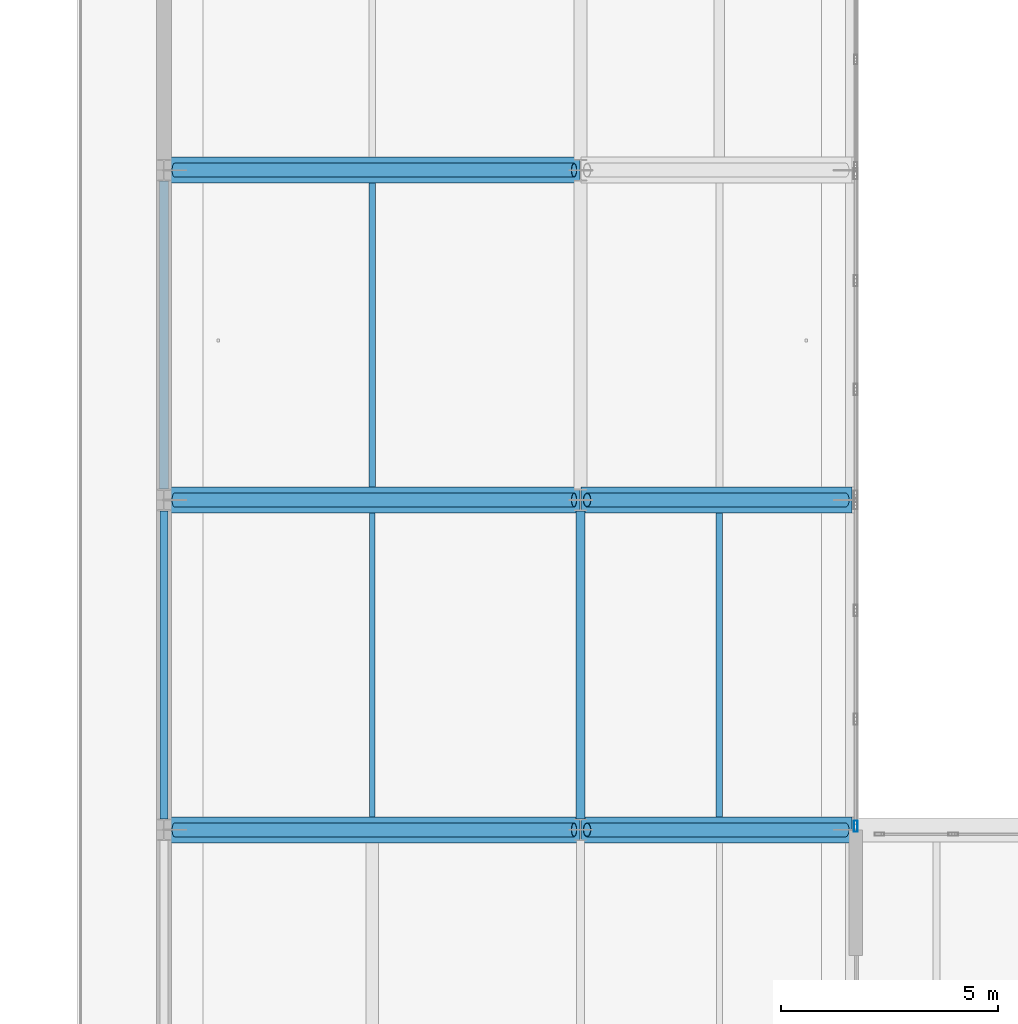
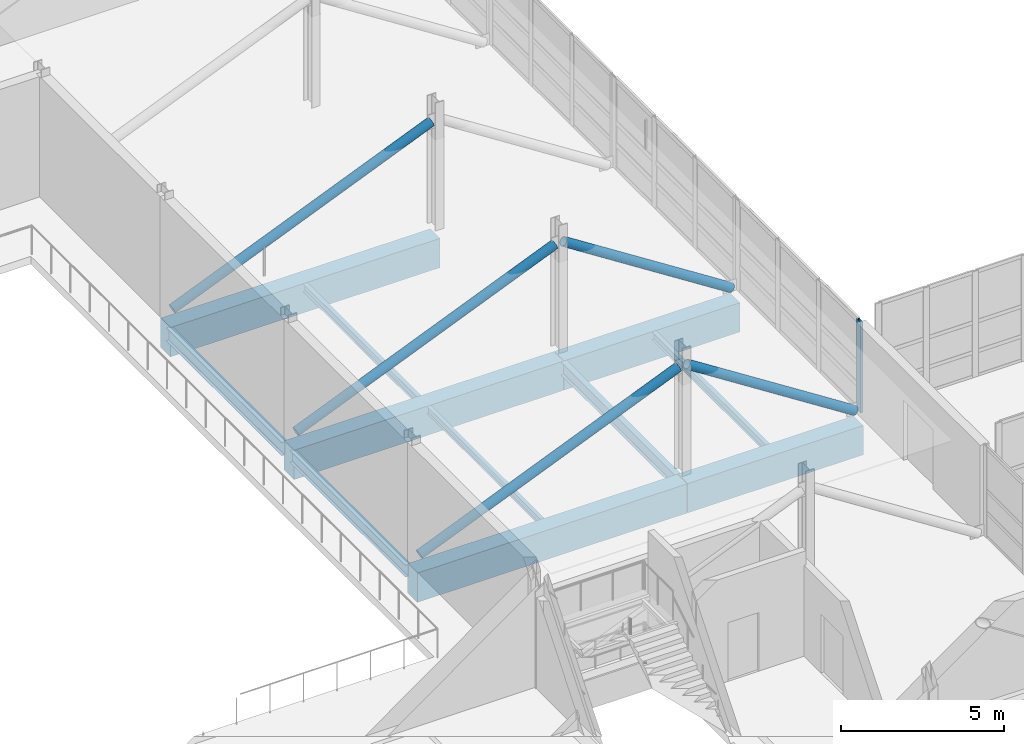
# One storey, part 15 of 141: 11 beams, 6 members, 1 element without a shape of its own.
"""IFC4 building model written with IfcOpenShell, lengths in metres."""

from ifc_helpers import new_model, si_unit, direction, frame, origin, origin_2d, place, context, subcontext, project, spatial, rectangle, hollow_rectangle, hollow_circle, i_section, extrude, material, material_profile, profile_set, type_object, element, aggregate, save


model = new_model("IFC4")

# Units and contexts
model_context = context("Model", 3, precision=1e-05, world=origin(), true_north=direction((0.0, 1.0)))
body_context = subcontext(model_context, "Body", "Model", "MODEL_VIEW")
ifc_project = project(units=[si_unit("LENGTHUNIT", "METRE"), si_unit("AREAUNIT", "SQUARE_METRE"), si_unit("VOLUMEUNIT", "CUBIC_METRE"), si_unit("PLANEANGLEUNIT", "RADIAN"), si_unit("MASSUNIT", "GRAM", prefix="KILO")], contexts=[model_context])

# Site, building, storey
site_placement = place(None, origin())
site = spatial("IfcSite", under=ifc_project, at=site_placement, CompositionType="ELEMENT")
building_placement = place(site_placement, origin())
building = spatial("IfcBuilding", under=site, at=building_placement, Name="Khelvaren Railside Concert Hall", CompositionType="ELEMENT")
storey_placement = place(building_placement, frame((0.0, 0.0, 10.199951171875)))
storey = spatial("IfcBuildingStorey", under=building, at=storey_placement, Name="L02", CompositionType="ELEMENT", Elevation=10.199951171875)

# Beams
ifc_material_1 = material(Name="Steel S355", Category="steel")
ifc_material_profile_1 = material_profile(ifc_material_1, i_section(OverallWidth=0.199951171875, OverallDepth=0.5, WebThickness=0.01025390625, FlangeThickness=0.01611328125, FilletRadius=0.02099609375, at=origin_2d()), Name="IPE 500")
ifc_profile_set_1 = profile_set([ifc_material_profile_1], Name="Steel S355")
beam_type_1 = type_object("IfcBeamType", Name="BM62", PredefinedType="BEAM", material=ifc_profile_set_1)
beam_1_placement = place(storey_placement, frame((40.0, 23.050048828125, -0.5400390625), z_axis=(0.0, 1.0, 0.0), x_axis=(-1.0, 0.0, 0.0)))
element("IfcBeam", 1, at=beam_1_placement, inside=storey, type_object=beam_type_1, Name="V1 L02 Beam Y6.4", PredefinedType="BEAM", context=body_context, shape_type="SweptSolid", body=[
    extrude(i_section(OverallWidth=0.199951171875, OverallDepth=0.5, WebThickness=0.01025390625, FlangeThickness=0.01611328125, FilletRadius=0.02099609375, at=origin_2d()), origin(), (0.0, 0.0, 1.0), 7.099853515625),
])
beam_2_placement = place(storey_placement, frame((49.60009765625, 15.449951171875, -0.5400390625), z_axis=(0.0, 1.0, 0.0), x_axis=(-1.0, 0.0, 0.0)))
element("IfcBeam", 2, at=beam_2_placement, inside=storey, type_object=beam_type_1, Name="V1 L02 Beam Y7.3", PredefinedType="BEAM", context=body_context, shape_type="SweptSolid", body=[
    extrude(i_section(OverallWidth=0.199951171875, OverallDepth=0.5, WebThickness=0.01025390625, FlangeThickness=0.01611328125, FilletRadius=0.02099609375, at=origin_2d()), origin(), (0.0, 0.0, 1.0), 7.10009765625),
])
ifc_material_profile_2 = material_profile(ifc_material_1, i_section(OverallWidth=0.18994140625, OverallDepth=0.449951171875, WebThickness=0.009521484375, FlangeThickness=0.0146484375, FilletRadius=0.02099609375, at=origin_2d()), Name="IPE 450")
ifc_profile_set_2 = profile_set([ifc_material_profile_2], Name="Steel S355")
beam_type_2 = type_object("IfcBeamType", Name="BM95", PredefinedType="BEAM", material=ifc_profile_set_2)
beam_3_placement = place(storey_placement, frame((40.0, 15.449951171875, -0.514892578125), z_axis=(0.0, 1.0, 0.0), x_axis=(-1.0, 0.0, 0.0)))
element("IfcBeam", 3, at=beam_3_placement, inside=storey, type_object=beam_type_2, Name="V1 L02 Beam Y6.3", PredefinedType="BEAM", context=body_context, shape_type="SweptSolid", body=[
    extrude(i_section(OverallWidth=0.18994140625, OverallDepth=0.449951171875, WebThickness=0.009521484375, FlangeThickness=0.0146484375, FilletRadius=0.02099609375, at=origin_2d()), origin(), (0.0, 0.0, 1.0), 7.10009765625),
])

# Members
ifc_material_profile_3 = material_profile(ifc_material_1, hollow_circle(Radius=0.161865234375, WallThickness=0.01611328125, at=origin_2d()), Name="CHS 323.9x16")
ifc_profile_set_3 = profile_set([ifc_material_profile_3], Name="Steel S355")
member_type_1 = type_object("IfcMemberType", Name="BR78", PredefinedType="BRACE", material=ifc_profile_set_3)
member_1_placement = place(storey_placement, frame((49.75, 15.199951171875, 3.969970703125), z_axis=(0.841509273877, 0.0, -0.540242669528), x_axis=(0.0, 1.0, 0.0)))
element("IfcMember", 4, at=member_1_placement, inside=storey, type_object=member_type_1, Name="V1 L02 Plaza Cantilever Truss Diagonal 3A", PredefinedType="BRACE", context=body_context, shape_type="SweptSolid", body=[
    extrude(hollow_circle(Radius=0.161865234375, WallThickness=0.01611328125, at=origin_2d()), origin(), (0.0, 0.0, 1.0), 7.070556640625),
])
member_2_placement = place(storey_placement, frame((40.25, 15.199951171875, 0.150146484375), z_axis=(0.923556947284, 0.0, 0.38346129547), x_axis=(0.0, 1.0, 0.0)))
element("IfcMember", 5, at=member_2_placement, inside=storey, type_object=member_type_1, Name="V1 L02 Plaza Cantilever Truss Backspan Diagonal 3B", PredefinedType="BRACE", context=body_context, shape_type="SweptSolid", body=[
    extrude(hollow_circle(Radius=0.161865234375, WallThickness=0.01611328125, at=origin_2d()), origin(), (0.0, 0.0, 1.0), 9.96142578125),
])
member_3_placement = place(storey_placement, frame((49.75, 22.800048828125, 3.969970703125), z_axis=(0.841509273877, 0.0, -0.540242669528), x_axis=(0.0, 1.0, 0.0)))
element("IfcMember", 6, at=member_3_placement, inside=storey, type_object=member_type_1, Name="V1 L02 Plaza Cantilever Truss Diagonal 4A", PredefinedType="BRACE", context=body_context, shape_type="SweptSolid", body=[
    extrude(hollow_circle(Radius=0.161865234375, WallThickness=0.01611328125, at=origin_2d()), origin(), (0.0, 0.0, 1.0), 7.070556640625),
])
for number, where, z_axis, x_axis, name in (
    (7, (40.25, 22.800048828125, 0.150146484375), (0.923556947284, 0.0, 0.38346129547), (0.0, 1.0, 0.0), "V1 L02 Plaza Cantilever Truss Backspan Diagonal 4B"),
    (8, (40.25, 30.39990234375, 0.150146484375), (0.923556947284, 0.0, 0.38346129547), (0.0, 1.0, 0.0), "V1 L02 Plaza Cantilever Truss Backspan Diagonal 5B"),
):
    element("IfcMember", number, at=place(storey_placement, frame(where, z_axis=z_axis, x_axis=x_axis)), inside=storey, type_object=member_type_1, Name=name, PredefinedType="BRACE", context=body_context, shape_type="SweptSolid", body=[
        extrude(hollow_circle(Radius=0.161865234375, WallThickness=0.01611328125, at=origin_2d()), origin(), (0.0, 0.0, 1.0), 9.96142578125),
    ])

# Curtain wall, member
ifc_material_2 = material(Name="Acoustic laminated crystal facade glass", Category="glass")
curtain_wall_type = type_object("IfcCurtainWallType", Name="CW21", PredefinedType="USERDEFINED", material=ifc_material_2)
curtain_wall_placement = place(storey_placement, origin())
curtain_wall = element("IfcCurtainWall", 9, at=curtain_wall_placement, inside=storey, type_object=curtain_wall_type, Name="Unitised Curtain Wall CW-V1-L02-E-15", ObjectType="UNITISED CURTAIN WALL", PredefinedType="USERDEFINED")
ifc_material_3 = material(Name="Anodised architectural aluminium 6063-T6", Category="aluminium")
ifc_material_profile_4 = material_profile(ifc_material_3, hollow_rectangle(XDim=0.0849609375, YDim=0.260009765625, WallThickness=0.0048828125, InnerFilletRadius=0.0029296875, OuterFilletRadius=0.0048828125, at=origin_2d()), Name="CWM 85x260x5")
ifc_profile_set_4 = profile_set([ifc_material_profile_4], Name="Anodised architectural aluminium 6063-T6")
member_type_2 = type_object("IfcMemberType", Name="CWM40", PredefinedType="MULLION", material=ifc_profile_set_4)
member_4_placement = place(storey_placement, frame((55.93994140625, 15.282470703125, 0.0), z_axis=(0.0, 0.0, 1.0), x_axis=(1.0, 0.0, 0.0)))
member_4 = element("IfcMember", 10, at=member_4_placement, type_object=member_type_2, Name="CW21 mullion 4", PredefinedType="MULLION", context=body_context, shape_type="SweptSolid", body=[
    extrude(hollow_rectangle(XDim=0.0849609375, YDim=0.260009765625, WallThickness=0.0048828125, InnerFilletRadius=0.0029296875, OuterFilletRadius=0.0048828125, at=origin_2d()), origin(), (0.0, 0.0, 1.0), 3.41015625),
])
aggregate(curtain_wall, [member_4])

# Beams
ifc_material_4 = material(Name="Concrete C40/50", Category="concrete")
ifc_material_profile_5 = material_profile(ifc_material_4, rectangle(XDim=0.60009765625, YDim=1.10009765625, at=origin_2d()), Name="RCB 600x1100")
ifc_profile_set_5 = profile_set([ifc_material_profile_5], Name="Concrete C40/50")
beam_type_3 = type_object("IfcBeamType", Name="GR15", PredefinedType="T_BEAM", material=ifc_profile_set_5)
beam_4_placement = place(storey_placement, frame((40.010009765625, 15.199951171875, -0.83984375), z_axis=(1.0, 0.0, 0.0), x_axis=(0.0, 1.0, 0.0)))
element("IfcBeam", 11, at=beam_4_placement, inside=storey, type_object=beam_type_3, Name="V1 L02 Cantilever Backspan Girder 3", PredefinedType="T_BEAM", context=body_context, shape_type="SweptSolid", body=[
    extrude(rectangle(XDim=0.60009765625, YDim=1.10009765625, at=origin_2d()), origin(), (0.0, 0.0, 1.0), 9.580078125),
])
beam_5_placement = place(storey_placement, frame((49.610107421875, 15.199951171875, -0.83984375), z_axis=(1.0, 0.0, 0.0), x_axis=(0.0, 1.0, 0.0)))
element("IfcBeam", 12, at=beam_5_placement, inside=storey, type_object=beam_type_3, Name="V1 L02 Arrival Cantilever Girder 3", PredefinedType="T_BEAM", context=body_context, shape_type="SweptSolid", body=[
    extrude(rectangle(XDim=0.60009765625, YDim=1.10009765625, at=origin_2d()), origin(), (0.0, 0.0, 1.0), 6.239990234375),
])
beam_6_placement = place(storey_placement, frame((40.010009765625, 22.800048828125, -0.83984375), z_axis=(1.0, 0.0, 0.0), x_axis=(0.0, 1.0, 0.0)))
element("IfcBeam", 13, at=beam_6_placement, inside=storey, type_object=beam_type_3, Name="V1 L02 Cantilever Backspan Girder 4", PredefinedType="T_BEAM", context=body_context, shape_type="SweptSolid", body=[
    extrude(rectangle(XDim=0.60009765625, YDim=1.10009765625, at=origin_2d()), origin(), (0.0, 0.0, 1.0), 9.580078125),
])
beam_7_placement = place(storey_placement, frame((49.610107421875, 22.800048828125, -0.83984375), z_axis=(1.0, 0.0, 0.0), x_axis=(0.0, 1.0, 0.0)))
element("IfcBeam", 14, at=beam_7_placement, inside=storey, type_object=beam_type_3, Name="V1 L02 Arrival Cantilever Girder 4", PredefinedType="T_BEAM", context=body_context, shape_type="SweptSolid", body=[
    extrude(rectangle(XDim=0.60009765625, YDim=1.10009765625, at=origin_2d()), origin(), (0.0, 0.0, 1.0), 6.239990234375),
])
beam_8_placement = place(storey_placement, frame((40.010009765625, 30.39990234375, -0.83984375), z_axis=(1.0, 0.0, 0.0), x_axis=(0.0, 1.0, 0.0)))
element("IfcBeam", 15, at=beam_8_placement, inside=storey, type_object=beam_type_3, Name="V1 L02 Cantilever Backspan Girder 5", PredefinedType="T_BEAM", context=body_context, shape_type="SweptSolid", body=[
    extrude(rectangle(XDim=0.60009765625, YDim=1.10009765625, at=origin_2d()), origin(), (0.0, 0.0, 1.0), 9.580078125),
])
ifc_material_profile_6 = material_profile(ifc_material_1, i_section(OverallWidth=0.14990234375, OverallDepth=0.300048828125, WebThickness=0.007080078125, FlangeThickness=0.0107421875, FilletRadius=0.014892578125, at=origin_2d()), Name="IPE 300")
ifc_profile_set_6 = profile_set([ifc_material_profile_6], Name="Steel S355")
beam_type_4 = type_object("IfcBeamType", Name="JS26", PredefinedType="JOIST", material=ifc_profile_set_6)
for number, where, z_axis, x_axis, name in (
    (16, (44.800048828125, 23.10009765625, -0.43994140625), (0.0, 1.0, 0.0), (-1.0, 0.0, 0.0), "V1 L02 Secondary Joist 6.4"),
    (17, (52.800048828125, 15.5, -0.43994140625), (0.0, 1.0, 0.0), (-1.0, 0.0, 0.0), "V1 L02 Secondary Joist 7.3"),
):
    element("IfcBeam", number, at=place(storey_placement, frame(where, z_axis=z_axis, x_axis=x_axis)), inside=storey, type_object=beam_type_4, Name=name, PredefinedType="JOIST", context=body_context, shape_type="SweptSolid", body=[
        extrude(i_section(OverallWidth=0.14990234375, OverallDepth=0.300048828125, WebThickness=0.007080078125, FlangeThickness=0.0107421875, FilletRadius=0.014892578125, at=origin_2d()), origin(), (0.0, 0.0, 1.0), 7.0),
    ])
ifc_material_profile_7 = material_profile(ifc_material_1, i_section(OverallWidth=0.135009765625, OverallDepth=0.27001953125, WebThickness=0.006591796875, FlangeThickness=0.01025390625, FilletRadius=0.014892578125, at=origin_2d()), Name="IPE 270")
ifc_profile_set_7 = profile_set([ifc_material_profile_7], Name="Steel S355")
beam_type_5 = type_object("IfcBeamType", Name="JS78", PredefinedType="JOIST", material=ifc_profile_set_7)
beam_9_placement = place(storey_placement, frame((44.800048828125, 15.5, -0.425048828125), z_axis=(0.0, 1.0, 0.0), x_axis=(-1.0, 0.0, 0.0)))
element("IfcBeam", 18, at=beam_9_placement, inside=storey, type_object=beam_type_5, Name="V1 L02 Secondary Joist 6.3", PredefinedType="JOIST", context=body_context, shape_type="SweptSolid", body=[
    extrude(i_section(OverallWidth=0.135009765625, OverallDepth=0.27001953125, WebThickness=0.006591796875, FlangeThickness=0.01025390625, FilletRadius=0.014892578125, at=origin_2d()), origin(), (0.0, 0.0, 1.0), 7.0),
])

save(model, "model.ifc")
